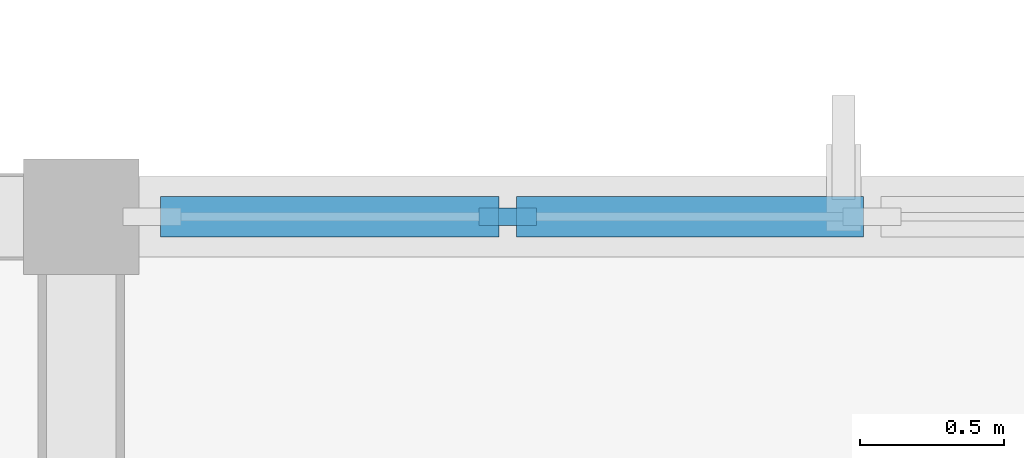
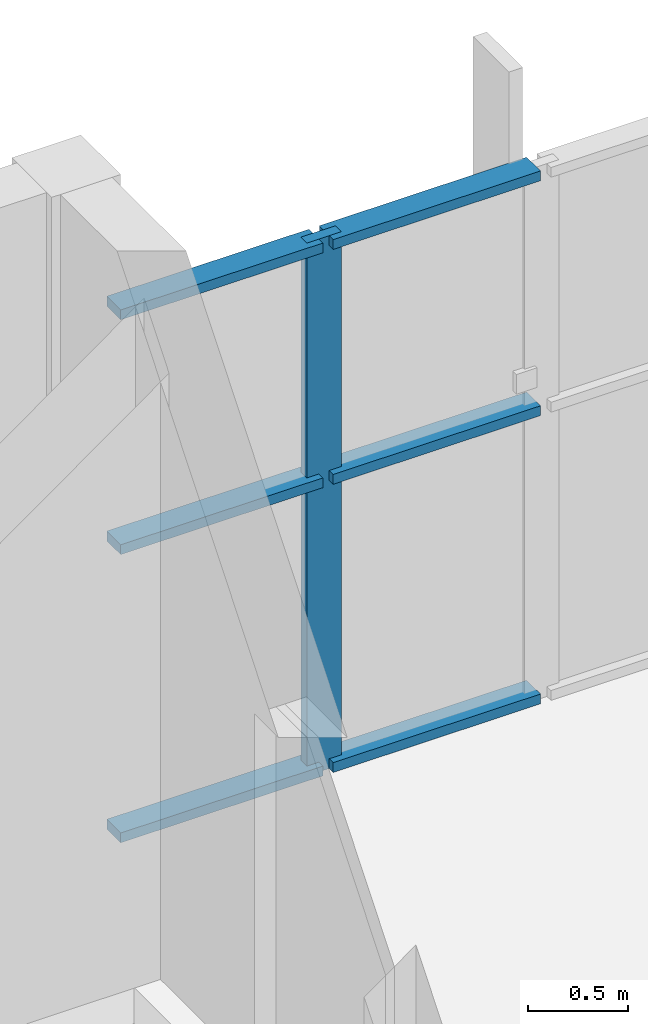
# One storey, part 5 of 45: 7 members, 1 element without a shape of its own.
"""IFC4 building model written with IfcOpenShell, lengths in metres."""

from ifc_helpers import new_model, si_unit, direction, frame, origin, origin_2d, place, context, subcontext, project, spatial, rectangle, extrude, material, layer, layer_set, material_profile, profile_set, type_object, element, aggregate, save


model = new_model("IFC4")

# Units and contexts
model_context = context("Model", 3, precision=1e-05, world=origin(), true_north=direction((0.0, 1.0)))
body_context = subcontext(model_context, "Body", "Model", "MODEL_VIEW")
ifc_project = project(units=[si_unit("LENGTHUNIT", "METRE"), si_unit("AREAUNIT", "SQUARE_METRE"), si_unit("VOLUMEUNIT", "CUBIC_METRE"), si_unit("PLANEANGLEUNIT", "RADIAN"), si_unit("MASSUNIT", "GRAM", prefix="KILO")], contexts=[model_context])

# Site, building, storey
site_placement = place(None, origin())
site = spatial("IfcSite", under=ifc_project, at=site_placement, CompositionType="ELEMENT")
building_placement = place(site_placement, origin())
building = spatial("IfcBuilding", under=site, at=building_placement, Name="Solvane Community Centre", CompositionType="ELEMENT")
storey_placement = place(building_placement, frame((0.0, 0.0, 13.800048828125)))
storey = spatial("IfcBuildingStorey", under=building, at=storey_placement, Name="L03", CompositionType="ELEMENT", Elevation=13.800048828125)

# Curtain wall, members
ifc_material = material(Name="Anodised bronze aluminium AW-6063 T6", Category="aluminium")
ifc_layer = layer(ifc_material, 0.199951171875)
ifc_layer_set = layer_set([ifc_layer], Name="Anodised bronze aluminium AW-6063 T6")
curtain_wall_type = type_object("IfcCurtainWallType", Name="Courtyard Cloister Curtain Wall [76x33dm]", PredefinedType="NOTDEFINED", material=ifc_layer_set)
curtain_wall_placement = place(storey_placement, origin())
curtain_wall = element("IfcCurtainWall", 1, at=curtain_wall_placement, inside=storey, type_object=curtain_wall_type, Name="Curtain Wall CW-L03-682_300-221", PredefinedType="NOTDEFINED")
ifc_material_profile_1 = material_profile(ifc_material, rectangle(XDim=0.06005859375, YDim=0.199951171875, at=origin_2d()), Name="CW-M 60x200")
ifc_profile_set_1 = profile_set([ifc_material_profile_1], Name="Anodised bronze aluminium AW-6063 T6")
member_type_1 = type_object("IfcMemberType", Name="Cloister Mullion 60x200", PredefinedType="MULLION", material=ifc_profile_set_1)
member_1_placement = place(storey_placement, frame((69.4765625, 30.0, 0.0), z_axis=(0.0, 0.0, 1.0), x_axis=(0.0, 1.0, 0.0)))
member_1 = element("IfcMember", 2, at=member_1_placement, type_object=member_type_1, Name="CW03-76x33 mullion 2", PredefinedType="MULLION", context=body_context, shape_type="SweptSolid", body=[
    extrude(rectangle(XDim=0.06005859375, YDim=0.199951171875, at=origin_2d()), origin(), (0.0, 0.0, 1.0), 3.264892578125),
])
ifc_material_profile_2 = material_profile(ifc_material, rectangle(XDim=0.139892578125, YDim=0.06005859375, at=origin_2d()), Name="CW-T 60x140")
ifc_profile_set_2 = profile_set([ifc_material_profile_2], Name="Anodised bronze aluminium AW-6063 T6")
member_type_2 = type_object("IfcMemberType", Name="Cloister Transom 60x140", PredefinedType="USERDEFINED", material=ifc_profile_set_2)
member_2_placement = place(storey_placement, frame((68.27490234375, 30.0, 0.030029296875), z_axis=(1.0, 0.0, 0.0), x_axis=(0.0, 1.0, 0.0)))
member_2 = element("IfcMember", 3, at=member_2_placement, type_object=member_type_2, Name="CW03-76x33 transom 1.1", ObjectType="TRANSOM", PredefinedType="USERDEFINED", context=body_context, shape_type="SweptSolid", body=[
    extrude(rectangle(XDim=0.139892578125, YDim=0.06005859375, at=origin_2d()), origin(), (0.0, 0.0, 1.0), 1.171875),
])
member_3_placement = place(storey_placement, frame((68.27490234375, 30.0, 1.7958984375), z_axis=(1.0, 0.0, 0.0), x_axis=(0.0, 1.0, 0.0)))
member_3 = element("IfcMember", 4, at=member_3_placement, type_object=member_type_2, Name="CW03-76x33 transom 1.2", ObjectType="TRANSOM", PredefinedType="USERDEFINED", context=body_context, shape_type="SweptSolid", body=[
    extrude(rectangle(XDim=0.139892578125, YDim=0.06005859375, at=origin_2d()), origin(), (0.0, 0.0, 1.0), 1.171875),
])
member_4_placement = place(storey_placement, frame((68.27490234375, 30.0, 3.23486328125), z_axis=(1.0, 0.0, 0.0), x_axis=(0.0, 1.0, 0.0)))
member_4 = element("IfcMember", 5, at=member_4_placement, type_object=member_type_2, Name="CW03-76x33 transom 1.3", ObjectType="TRANSOM", PredefinedType="USERDEFINED", context=body_context, shape_type="SweptSolid", body=[
    extrude(rectangle(XDim=0.139892578125, YDim=0.06005859375, at=origin_2d()), origin(), (0.0, 0.0, 1.0), 1.171875),
])
member_5_placement = place(storey_placement, frame((69.506591796875, 30.0, 0.030029296875), z_axis=(1.0, 0.0, 0.0), x_axis=(0.0, 1.0, 0.0)))
member_5 = element("IfcMember", 6, at=member_5_placement, type_object=member_type_2, Name="CW03-76x33 transom 2.1", ObjectType="TRANSOM", PredefinedType="USERDEFINED", context=body_context, shape_type="SweptSolid", body=[
    extrude(rectangle(XDim=0.139892578125, YDim=0.06005859375, at=origin_2d()), origin(), (0.0, 0.0, 1.0), 1.20166015625),
])
member_6_placement = place(storey_placement, frame((69.506591796875, 30.0, 1.7958984375), z_axis=(1.0, 0.0, 0.0), x_axis=(0.0, 1.0, 0.0)))
member_6 = element("IfcMember", 7, at=member_6_placement, type_object=member_type_2, Name="CW03-76x33 transom 2.2", ObjectType="TRANSOM", PredefinedType="USERDEFINED", context=body_context, shape_type="SweptSolid", body=[
    extrude(rectangle(XDim=0.139892578125, YDim=0.06005859375, at=origin_2d()), origin(), (0.0, 0.0, 1.0), 1.20166015625),
])
member_7_placement = place(storey_placement, frame((69.506591796875, 30.0, 3.23486328125), z_axis=(1.0, 0.0, 0.0), x_axis=(0.0, 1.0, 0.0)))
member_7 = element("IfcMember", 8, at=member_7_placement, type_object=member_type_2, Name="CW03-76x33 transom 2.3", ObjectType="TRANSOM", PredefinedType="USERDEFINED", context=body_context, shape_type="SweptSolid", body=[
    extrude(rectangle(XDim=0.139892578125, YDim=0.06005859375, at=origin_2d()), origin(), (0.0, 0.0, 1.0), 1.20166015625),
])
aggregate(curtain_wall, [member_1, member_2, member_3, member_4, member_5, member_6, member_7])

save(model, "model.ifc")
